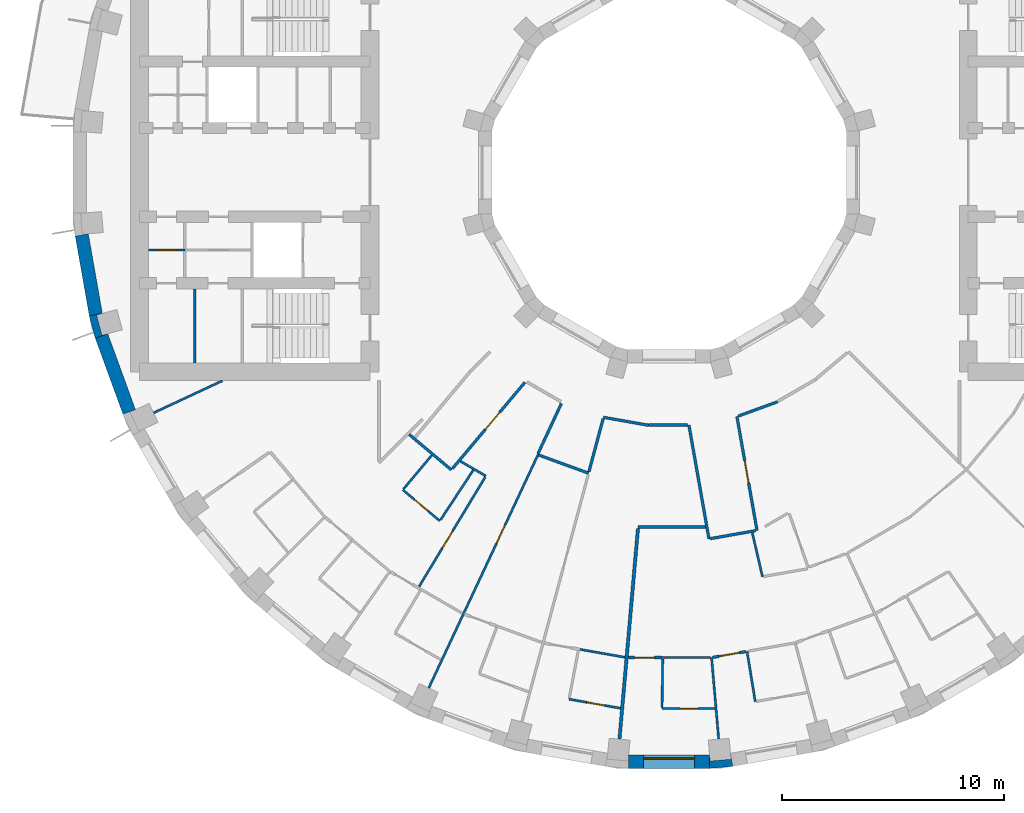
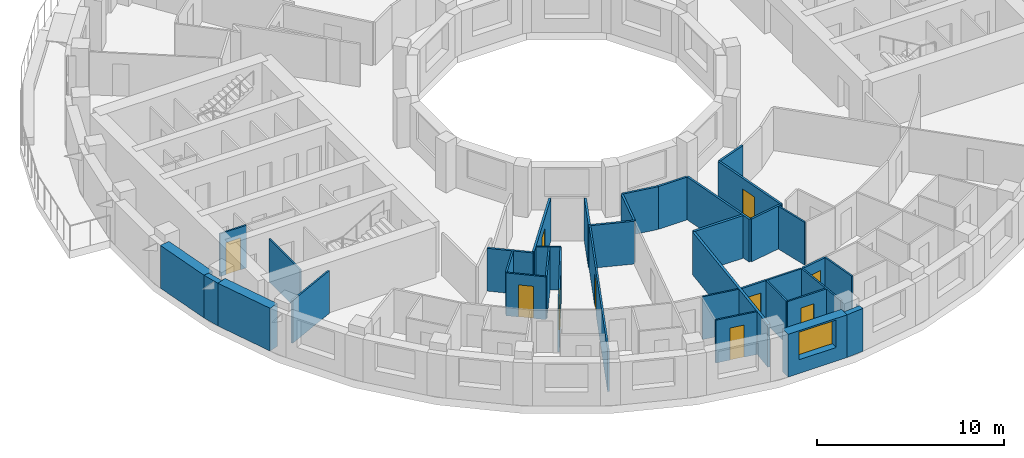
# One storey, part 5 of 15: 37 walls, 10 doors, 1 window, 11 openings.
"""IFC4 building model written with IfcOpenShell, lengths in metres."""

from ifc_helpers import new_model, si_unit, direction, frame, frame_2d, origin, place, context, subcontext, project, spatial, polyline, rectangle, outline, extrude, material, layer, layer_set, type_object, element, fill, save


model = new_model("IFC4")

# Units and contexts
model_context = context("Model", 3, precision=1e-05, world=origin(), true_north=direction((0.0, 1.0)))
body_context = subcontext(model_context, "Body", "Model", "MODEL_VIEW")
ifc_project = project(units=[si_unit("LENGTHUNIT", "METRE"), si_unit("AREAUNIT", "SQUARE_METRE"), si_unit("VOLUMEUNIT", "CUBIC_METRE"), si_unit("PLANEANGLEUNIT", "RADIAN"), si_unit("MASSUNIT", "GRAM", prefix="KILO")], contexts=[model_context])

# Site, building, storey
site_placement = place(None, origin())
site = spatial("IfcSite", under=ifc_project, at=site_placement, CompositionType="ELEMENT")
building_placement = place(site_placement, origin())
building = spatial("IfcBuilding", under=site, at=building_placement, Name="Saqina Gate Tower", CompositionType="ELEMENT")
storey_placement = place(building_placement, frame((0.0, 0.0, 108.39990234375)))
storey = spatial("IfcBuildingStorey", under=building, at=storey_placement, Name="L30", CompositionType="ELEMENT", Elevation=108.39990234375)

# Walls
ifc_material_1 = material(Name="Brick masonry (buff)", Category="masonry")
wall_type_1 = type_object("IfcWallType", Name="BRICK PIER COPING BUFF", PredefinedType="SOLIDWALL", material=ifc_material_1)
wall_1_placement = place(storey_placement, origin())
element("IfcWall", 1, at=wall_1_placement, inside=storey, type_object=wall_type_1, Name="Pier cap L30 column 20", PredefinedType="SOLIDWALL", context=body_context, shape_type="SweptSolid", body=[
    extrude(outline(polyline([(-26.171875, -6.466796875), (-25.89892578125, -7.485595703125), (-25.335205078125, -7.2802734375), (-25.5947265625, -7.349853515625), (-25.8408203125, -6.43212890625), (-25.5810546875, -6.36279296875), (-26.171875, -6.466796875)])), origin(), (0.0, 0.0, 1.0), 2.800048828125),
])
wall_2_placement = place(storey_placement, origin())
element("IfcWall", 2, at=wall_2_placement, inside=storey, type_object=wall_type_1, Name="Pier cap L30 column 28", PredefinedType="SOLIDWALL", context=body_context, shape_type="SweptSolid", body=[
    extrude(outline(polyline([(2.87451171875, -26.805419921875), (2.770263671875, -26.214599609375), (2.793701171875, -26.482421875), (1.847412109375, -26.565185546875), (1.823974609375, -26.29736328125), (1.823974609375, -26.897216796875), (2.87451171875, -26.805419921875)])), origin(), (0.0, 0.0, 1.0), 2.800048828125),
])

# Wall, opening, door
ifc_material_2 = material(Name="Gypsum board on steel studs", Category="steel")
ifc_layer_1 = layer(ifc_material_2, 0.10009765625)
ifc_layer_set_1 = layer_set([ifc_layer_1], Name="CORE PARTITION")
wall_type_2 = type_object("IfcWallType", Name="CORE PARTITION", PredefinedType="PARTITIONING", material=ifc_layer_set_1)
wall_3_placement = place(storey_placement, frame((-21.8583984375, -3.5, 0.0), z_axis=(0.0, 0.0, 1.0), x_axis=(-1.0, 0.0, 0.0)))
wall_3 = element("IfcWall", 3, at=wall_3_placement, inside=storey, type_object=wall_type_2, Name="L30-CP-W12", PredefinedType="PARTITIONING", context=body_context, shape_type="SweptSolid", body=[
    extrude(rectangle(XDim=1.6416015625, YDim=0.10009765625, at=frame_2d((0.82080078125, 0.0))), origin(), (0.0, 0.0, 1.0), 2.800048828125),
])
opening_1_placement = place(wall_3_placement, frame((0.370849609375, 0.0, 0.0)))
opening_1 = element("IfcOpeningElement", 4, at=opening_1_placement, cuts=wall_3, Name="Opening G08-D122", PredefinedType="OPENING", context=body_context, shape_type="SweptSolid", body=[
    extrude(rectangle(XDim=0.89990234375, YDim=2.10009765625, at=frame_2d((0.449951171875, 1.050048828125))), frame((0.0, 0.06201171875, 0.0), z_axis=(0.0, -1.0, 0.0), x_axis=(1.0, 0.0, 0.0)), (0.0, 0.0, 1.0), 0.1240234375),
])
ifc_material_3 = material(Name="Steel-framed fire door leaf, EI 60", Category="steel")
door_type_1 = type_object("IfcDoorType", Name="SERVICE ROOM DOOR 900", OperationType="SINGLE_SWING_LEFT", PredefinedType="DOOR", material=ifc_material_3)
door_1_placement = place(opening_1_placement, origin())
door_1 = element("IfcDoor", 5, at=door_1_placement, inside=storey, type_object=door_type_1, Name="L30-CD-W33", OperationType="SINGLE_SWING_RIGHT", OverallHeight=2.10009765625, OverallWidth=0.89990234375, PredefinedType="DOOR", context=body_context, shape_type="SweptSolid", body=[
    extrude(rectangle(XDim=0.89990234375, YDim=2.10009765625, at=frame_2d((0.449951171875, 1.050048828125))), frame((0.0, 0.02490234375, 0.0), z_axis=(0.0, -1.0, 0.0), x_axis=(1.0, 0.0, 0.0)), (0.0, 0.0, 1.0), 0.050048828125),
])
fill(opening_1, door_1)

# Wall
wall_4_placement = place(storey_placement, frame((-21.409912109375, -8.60009765625, 0.0), z_axis=(0.0, 0.0, 1.0), x_axis=(0.0, 1.0, 0.0)))
element("IfcWall", 6, at=wall_4_placement, inside=storey, type_object=wall_type_2, Name="L30-CP-W16", PredefinedType="PARTITIONING", context=body_context, shape_type="SweptSolid", body=[
    extrude(rectangle(XDim=3.35009765625, YDim=0.10009765625, at=frame_2d((1.675048828125, 0.0))), origin(), (0.0, 0.0, 1.0), 2.800048828125),
])

# Wall, opening, window
ifc_material_4 = material(Name="Brick masonry (buff)", Category="masonry")
ifc_layer_2 = layer(ifc_material_4, 0.60009765625)
ifc_layer_set_2 = layer_set([ifc_layer_2], Name="FW-BRICK-BUFF")
wall_type_3 = type_object("IfcWallType", Name="FW-BRICK-BUFF", PredefinedType="SOLIDWALL", material=ifc_layer_set_2)
wall_5_placement = place(storey_placement, frame((-1.823974609375, -26.59716796875, 0.0), z_axis=(0.0, 0.0, 1.0), x_axis=(1.0, 0.0, 0.0)))
wall_5 = element("IfcWall", 7, at=wall_5_placement, inside=storey, type_object=wall_type_3, Name="Facade wall L30 facet 27", PredefinedType="SOLIDWALL", context=body_context, shape_type="SweptSolid", body=[
    extrude(rectangle(XDim=3.64794921875, YDim=0.60009765625, at=frame_2d((1.823974609375, 0.0))), origin(), (0.0, 0.0, 1.0), 2.800048828125),
])
opening_2_placement = place(wall_5_placement, frame((0.673828125, 0.0, 0.89990234375)))
opening_2 = element("IfcOpeningElement", 8, at=opening_2_placement, cuts=wall_5, Name="Opening G08-W16", PredefinedType="OPENING", context=body_context, shape_type="SweptSolid", body=[
    extrude(rectangle(XDim=2.300048828125, YDim=1.800048828125, at=frame_2d((1.14990234375, 0.89990234375))), frame((0.0, 0.31201171875, 0.0), z_axis=(0.0, -1.0, 0.0), x_axis=(1.0, 0.0, 0.0)), (0.0, 0.0, 1.0), 0.6240234375),
])
ifc_material_5 = material(Name="Aluminium glazing", Category="aluminium")
window_type = type_object("IfcWindowType", Name="WN-B", PartitioningType="SINGLE_PANEL", PredefinedType="WINDOW", material=ifc_material_5)
window_placement = place(opening_2_placement, origin())
window = element("IfcWindow", 9, at=window_placement, inside=storey, type_object=window_type, Name="Window L30 facet 27", OverallHeight=1.800048828125, OverallWidth=2.300048828125, PartitioningType="SINGLE_PANEL", PredefinedType="WINDOW", context=body_context, shape_type="SweptSolid", body=[
    extrude(rectangle(XDim=2.300048828125, YDim=1.800048828125, at=frame_2d((1.14990234375, 0.89990234375))), frame((0.0, 0.179931640625, 0.0), z_axis=(0.0, -1.0, 0.0), x_axis=(1.0, 0.0, 0.0)), (0.0, 0.0, 1.0), 0.06005859375),
])
fill(opening_2, window)

# Walls
ifc_material_6 = material(Name="Glazed ceramic tile", Category="ceramic")
ifc_layer_3 = layer(ifc_material_6, 0.60009765625)
ifc_layer_set_3 = layer_set([ifc_layer_3], Name="FW-TILE")
wall_type_4 = type_object("IfcWallType", Name="FW-TILE", PredefinedType="SOLIDWALL", material=ifc_layer_set_3)
wall_6_placement = place(storey_placement, frame((-26.510009765625, -2.822265625, 0.0), z_axis=(0.0, 0.0, 1.0), x_axis=(0.173670796382, -0.984803764455, 0.0)))
element("IfcWall", 10, at=wall_6_placement, inside=storey, type_object=wall_type_4, Name="Facade wall L30 facet 19", PredefinedType="SOLIDWALL", context=body_context, shape_type="SweptSolid", body=[
    extrude(rectangle(XDim=3.64794921875, YDim=0.60009765625, at=frame_2d((1.823974609375, 0.0))), origin(), (0.0, 0.0, 1.0), 2.800048828125),
])
ifc_material_7 = material(Name="Glazed ceramic tile (dark blue)", Category="ceramic")
ifc_layer_4 = layer(ifc_material_7, 0.60009765625)
ifc_layer_set_4 = layer_set([ifc_layer_4], Name="FW-TILE-CB")
wall_type_5 = type_object("IfcWallType", Name="FW-TILE-CB", PredefinedType="SOLIDWALL", material=ifc_layer_set_4)
wall_7_placement = place(storey_placement, frame((-25.616943359375, -7.3828125, 0.0), z_axis=(0.0, 0.0, 1.0), x_axis=(0.341990236633, -0.939703505393, 0.0)))
element("IfcWall", 11, at=wall_7_placement, inside=storey, type_object=wall_type_5, Name="Facade wall L30 facet 20", PredefinedType="SOLIDWALL", context=body_context, shape_type="SweptSolid", body=[
    extrude(rectangle(XDim=3.64794921875, YDim=0.60009765625, at=frame_2d((1.823974609375, 0.0))), origin(), (0.0, 0.0, 1.0), 2.800048828125),
])
ifc_material_8 = material(Name="Gypsum board on steel studs, 100 mm", Category="steel")
ifc_layer_5 = layer(ifc_material_8, 0.10009765625)
ifc_layer_set_5 = layer_set([ifc_layer_5], Name="PARTITION 100")
wall_type_6 = type_object("IfcWallType", Name="PARTITION 100", PredefinedType="PARTITIONING", material=ifc_layer_set_5)
wall_8_placement = place(storey_placement, frame((1.916015625, -21.89697265625, 0.0), z_axis=(0.0, 0.0, 1.0), x_axis=(0.087069954148, -0.996202199899, 0.0)))
element("IfcWall", 12, at=wall_8_placement, inside=storey, type_object=wall_type_6, Name="PARTITION PW3-02", PredefinedType="PARTITIONING", context=body_context, shape_type="SweptSolid", body=[
    extrude(rectangle(XDim=3.684326171875, YDim=0.10009765625, at=frame_2d((1.84228515625, 0.0))), origin(), (0.0, 0.0, 1.0), 2.800048828125),
])
wall_9_placement = place(storey_placement, frame((3.51806640625, -21.614990234375, 0.0), z_axis=(0.0, 0.0, 1.0), x_axis=(0.160403826344, -0.987051474085, 0.0)))
element("IfcWall", 13, at=wall_9_placement, inside=storey, type_object=wall_type_6, Name="PARTITION PW3-04", PredefinedType="PARTITIONING", context=body_context, shape_type="SweptSolid", body=[
    extrude(rectangle(XDim=2.2998046875, YDim=0.10009765625, at=frame_2d((1.14990234375, 0.0))), origin(), (0.0, 0.0, 1.0), 2.800048828125),
])
wall_10_placement = place(storey_placement, frame((3.752685546875, -16.258056640625, 0.0), z_axis=(0.0, 0.0, 1.0), x_axis=(0.22577693712, -0.974179025983, 0.0)))
element("IfcWall", 14, at=wall_10_placement, inside=storey, type_object=wall_type_6, Name="PARTITION PW3-06", PredefinedType="PARTITIONING", context=body_context, shape_type="SweptSolid", body=[
    extrude(rectangle(XDim=2.04052734375, YDim=0.10009765625, at=frame_2d((1.020263671875, 0.0))), origin(), (0.0, 0.0, 1.0), 2.800048828125),
])

# Wall, opening, door
wall_11_placement = place(storey_placement, frame((-12.01806640625, -14.32666015625, 0.0), z_axis=(0.0, 0.0, 1.0), x_axis=(0.76605991383, -0.642769171961, 0.0)))
wall_11 = element("IfcWall", 15, at=wall_11_placement, inside=storey, type_object=wall_type_6, Name="PARTITION PW3-25", PredefinedType="PARTITIONING", context=body_context, shape_type="SweptSolid", body=[
    extrude(rectangle(XDim=2.18017578125, YDim=0.10009765625, at=frame_2d((1.090087890625, 0.0))), origin(), (0.0, 0.0, 1.0), 2.800048828125),
])
opening_3_placement = place(wall_11_placement, frame((0.689453125, 0.0, 0.0)))
opening_3 = element("IfcOpeningElement", 16, at=opening_3_placement, cuts=wall_11, Name="Opening G08-D26", PredefinedType="OPENING", context=body_context, shape_type="SweptSolid", body=[
    extrude(rectangle(XDim=0.800048828125, YDim=2.10009765625, at=frame_2d((0.39990234375, 1.050048828125))), frame((0.0, 0.06201171875, 0.0), z_axis=(0.0, -1.0, 0.0), x_axis=(1.0, 0.0, 0.0)), (0.0, 0.0, 1.0), 0.1240234375),
])
ifc_material_9 = material(Name="Timber door leaf, 800 mm", Category="wood")
door_type_2 = type_object("IfcDoorType", Name="DOOR 800 TIMBER", OperationType="SINGLE_SWING_LEFT", PredefinedType="DOOR", material=ifc_material_9)
door_2_placement = place(opening_3_placement, frame((0.800048828125, 0.0, 0.0), z_axis=(0.0, 0.0, 1.0), x_axis=(-1.0, 0.0, 0.0)))
door_2 = element("IfcDoor", 17, at=door_2_placement, inside=storey, type_object=door_type_2, Name="DOOR G08-D26", OperationType="SINGLE_SWING_RIGHT", OverallHeight=2.10009765625, OverallWidth=0.800048828125, PredefinedType="DOOR", context=body_context, shape_type="SweptSolid", body=[
    extrude(rectangle(XDim=0.800048828125, YDim=2.10009765625, at=frame_2d((0.39990234375, 1.050048828125))), frame((0.0, 0.02490234375, 0.0), z_axis=(0.0, -1.0, 0.0), x_axis=(1.0, 0.0, 0.0)), (0.0, 0.0, 1.0), 0.050048828125),
])
fill(opening_3, door_2)

# Wall
wall_12_placement = place(storey_placement, frame((-9.421875, -13.03515625, 0.0), z_axis=(0.0, 0.0, 1.0), x_axis=(0.866041828806, -0.499971549949, 0.0)))
element("IfcWall", 18, at=wall_12_placement, inside=storey, type_object=wall_type_6, Name="PARTITION PW3-30", PredefinedType="PARTITIONING", context=body_context, shape_type="SweptSolid", body=[
    extrude(rectangle(XDim=1.3291015625, YDim=0.10009765625, at=frame_2d((0.66455078125, 0.0))), origin(), (0.0, 0.0, 1.0), 2.800048828125),
])

# Wall, opening, door
wall_13_placement = place(storey_placement, frame((-4.51611328125, -23.77392578125, 0.0), z_axis=(0.0, 0.0, 1.0), x_axis=(0.984810614942, -0.173631946077, 0.0)))
wall_13 = element("IfcWall", 19, at=wall_13_placement, inside=storey, type_object=wall_type_6, Name="PARTITION PW3-37", PredefinedType="PARTITIONING", context=body_context, shape_type="SweptSolid", body=[
    extrude(rectangle(XDim=2.36083984375, YDim=0.10009765625, at=frame_2d((1.180419921875, 0.0))), origin(), (0.0, 0.0, 1.0), 2.800048828125),
])
opening_4_placement = place(wall_13_placement, frame((0.818115234375, 0.0, 0.0)))
opening_4 = element("IfcOpeningElement", 20, at=opening_4_placement, cuts=wall_13, Name="Opening G08-D36", PredefinedType="OPENING", context=body_context, shape_type="SweptSolid", body=[
    extrude(rectangle(XDim=0.800048828125, YDim=2.10009765625, at=frame_2d((0.39990234375, 1.050048828125))), frame((0.0, 0.06201171875, 0.0), z_axis=(0.0, -1.0, 0.0), x_axis=(1.0, 0.0, 0.0)), (0.0, 0.0, 1.0), 0.1240234375),
])
door_3_placement = place(opening_4_placement, frame((0.800048828125, 0.0, 0.0), z_axis=(0.0, 0.0, 1.0), x_axis=(-1.0, 0.0, 0.0)))
door_3 = element("IfcDoor", 21, at=door_3_placement, inside=storey, type_object=door_type_2, Name="DOOR G08-D36", OperationType="SINGLE_SWING_LEFT", OverallHeight=2.10009765625, OverallWidth=0.800048828125, PredefinedType="DOOR", context=body_context, shape_type="SweptSolid", body=[
    extrude(rectangle(XDim=0.800048828125, YDim=2.10009765625, at=frame_2d((0.39990234375, 1.050048828125))), frame((0.0, 0.02490234375, 0.0), z_axis=(0.0, -1.0, 0.0), x_axis=(1.0, 0.0, 0.0)), (0.0, 0.0, 1.0), 0.050048828125),
])
fill(opening_4, door_3)

# Wall
wall_14_placement = place(storey_placement, frame((-4.025390625, -21.52490234375, 0.0), z_axis=(0.0, 0.0, 1.0), x_axis=(0.984791880798, -0.173738169424, 0.0)))
element("IfcWall", 22, at=wall_14_placement, inside=storey, type_object=wall_type_6, Name="PARTITION PW3-38", PredefinedType="PARTITIONING", context=body_context, shape_type="SweptSolid", body=[
    extrude(rectangle(XDim=2.067138671875, YDim=0.10009765625, at=frame_2d((1.03369140625, 0.0))), origin(), (0.0, 0.0, 1.0), 2.800048828125),
])

# Wall, opening, door
wall_15_placement = place(storey_placement, frame((-0.319091796875, -24.197021484375, 0.0), z_axis=(0.0, 0.0, 1.0), x_axis=(1.0, 0.0, 0.0)))
wall_15 = element("IfcWall", 23, at=wall_15_placement, inside=storey, type_object=wall_type_6, Name="PARTITION PW3-42", PredefinedType="PARTITIONING", context=body_context, shape_type="SweptSolid", body=[
    extrude(rectangle(XDim=2.385986328125, YDim=0.10009765625, at=frame_2d((1.19287109375, 0.0))), origin(), (0.0, 0.0, 1.0), 2.800048828125),
])
opening_5_placement = place(wall_15_placement, frame((0.818115234375, 0.0, 0.0)))
opening_5 = element("IfcOpeningElement", 24, at=opening_5_placement, cuts=wall_15, Name="Opening G08-D38", PredefinedType="OPENING", context=body_context, shape_type="SweptSolid", body=[
    extrude(rectangle(XDim=0.800048828125, YDim=2.10009765625, at=frame_2d((0.39990234375, 1.050048828125))), frame((0.0, 0.06201171875, 0.0), z_axis=(0.0, -1.0, 0.0), x_axis=(1.0, 0.0, 0.0)), (0.0, 0.0, 1.0), 0.1240234375),
])
door_4_placement = place(opening_5_placement, frame((0.800048828125, 0.0, 0.0), z_axis=(0.0, 0.0, 1.0), x_axis=(-1.0, 0.0, 0.0)))
door_4 = element("IfcDoor", 25, at=door_4_placement, inside=storey, type_object=door_type_2, Name="DOOR G08-D38", OperationType="SINGLE_SWING_LEFT", OverallHeight=2.10009765625, OverallWidth=0.800048828125, PredefinedType="DOOR", context=body_context, shape_type="SweptSolid", body=[
    extrude(rectangle(XDim=0.800048828125, YDim=2.10009765625, at=frame_2d((0.39990234375, 1.050048828125))), frame((0.0, 0.02490234375, 0.0), z_axis=(0.0, -1.0, 0.0), x_axis=(1.0, 0.0, 0.0)), (0.0, 0.0, 1.0), 0.050048828125),
])
fill(opening_5, door_4)

# Walls
wall_16_placement = place(storey_placement, frame((-0.339111328125, -21.89697265625, 0.0), z_axis=(0.0, 0.0, 1.0), x_axis=(1.0, 0.0, 0.0)))
element("IfcWall", 26, at=wall_16_placement, inside=storey, type_object=wall_type_6, Name="PARTITION PW3-43", PredefinedType="PARTITIONING", context=body_context, shape_type="SweptSolid", body=[
    extrude(rectangle(XDim=2.205078125, YDim=0.10009765625, at=frame_2d((1.1025390625, 0.0))), origin(), (0.0, 0.0, 1.0), 2.800048828125),
])
wall_17_placement = place(storey_placement, frame((-23.260009765625, -10.84716796875, 0.0), z_axis=(0.0, 0.0, 1.0), x_axis=(0.906121146584, 0.423018282954, 0.0)))
element("IfcWall", 27, at=wall_17_placement, inside=storey, type_object=wall_type_6, Name="PARTITION PW3-60", PredefinedType="PARTITIONING", context=body_context, shape_type="SweptSolid", body=[
    extrude(rectangle(XDim=3.42138671875, YDim=0.10009765625, at=frame_2d((1.710693359375, 0.0))), origin(), (0.0, 0.0, 1.0), 2.800048828125),
])
wall_18_placement = place(storey_placement, frame((-11.98779296875, -14.28662109375, 0.0), z_axis=(0.0, 0.0, 1.0), x_axis=(0.642742530466, 0.766082266816, 0.0)))
element("IfcWall", 28, at=wall_18_placement, inside=storey, type_object=wall_type_6, Name="PARTITION PW3-75", PredefinedType="PARTITIONING", context=body_context, shape_type="SweptSolid", body=[
    extrude(rectangle(XDim=1.9873046875, YDim=0.10009765625, at=frame_2d((0.99365234375, 0.0))), origin(), (0.0, 0.0, 1.0), 2.800048828125),
])
wall_19_placement = place(storey_placement, frame((-10.319091796875, -15.684326171875, 0.0), z_axis=(0.0, 0.0, 1.0), x_axis=(0.549631473795, 0.835407231842, 0.0)))
element("IfcWall", 29, at=wall_19_placement, inside=storey, type_object=wall_type_6, Name="PARTITION PW3-79", PredefinedType="PARTITIONING", context=body_context, shape_type="SweptSolid", body=[
    extrude(rectangle(XDim=2.6953125, YDim=0.10009765625, at=frame_2d((1.34765625, 0.0))), origin(), (0.0, 0.0, 1.0), 2.800048828125),
])

# Wall, opening, door
wall_20_placement = place(storey_placement, frame((-11.287109375, -18.694580078125, 0.0), z_axis=(0.0, 0.0, 1.0), x_axis=(0.516964841348, 0.856006631288, 0.0)))
wall_20 = element("IfcWall", 30, at=wall_20_placement, inside=storey, type_object=wall_type_6, Name="PARTITION PW3-80", PredefinedType="PARTITIONING", context=body_context, shape_type="SweptSolid", body=[
    extrude(rectangle(XDim=5.7822265625, YDim=0.10009765625, at=frame_2d((2.89111328125, 0.0))), origin(), (0.0, 0.0, 1.0), 2.800048828125),
])
opening_6_placement = place(wall_20_placement, frame((2.034912109375, 0.0, 0.0)))
opening_6 = element("IfcOpeningElement", 31, at=opening_6_placement, cuts=wall_20, Name="Opening G08-D29", PredefinedType="OPENING", context=body_context, shape_type="SweptSolid", body=[
    extrude(rectangle(XDim=0.89990234375, YDim=2.10009765625, at=frame_2d((0.449951171875, 1.050048828125))), frame((0.0, 0.06201171875, 0.0), z_axis=(0.0, -1.0, 0.0), x_axis=(1.0, 0.0, 0.0)), (0.0, 0.0, 1.0), 0.1240234375),
])
ifc_material_10 = material(Name="Timber door leaf, 900 mm", Category="wood")
door_type_3 = type_object("IfcDoorType", Name="DOOR 900 TIMBER", OperationType="SINGLE_SWING_LEFT", PredefinedType="DOOR", material=ifc_material_10)
door_5_placement = place(opening_6_placement, origin())
door_5 = element("IfcDoor", 32, at=door_5_placement, inside=storey, type_object=door_type_3, Name="DOOR G08-D29", OperationType="SINGLE_SWING_RIGHT", OverallHeight=2.10009765625, OverallWidth=0.89990234375, PredefinedType="DOOR", context=body_context, shape_type="SweptSolid", body=[
    extrude(rectangle(XDim=0.89990234375, YDim=2.10009765625, at=frame_2d((0.449951171875, 1.050048828125))), frame((0.0, 0.02490234375, 0.0), z_axis=(0.0, -1.0, 0.0), x_axis=(1.0, 0.0, 0.0)), (0.0, 0.0, 1.0), 0.050048828125),
])
fill(opening_6, door_5)

wall_21_placement = place(storey_placement, frame((-10.845458984375, -23.260986328125, 0.0), z_axis=(0.0, 0.0, 1.0), x_axis=(0.424206154739, 0.905565645484, 0.0)))
wall_21 = element("IfcWall", 33, at=wall_21_placement, inside=storey, type_object=wall_type_6, Name="PARTITION PW3-83", PredefinedType="PARTITIONING", context=body_context, shape_type="SweptSolid", body=[
    extrude(rectangle(XDim=11.674560546875, YDim=0.10009765625, at=frame_2d((5.83740234375, 0.0))), origin(), (0.0, 0.0, 1.0), 2.800048828125),
])
opening_7_placement = place(wall_21_placement, frame((7.19921875, 0.0, 0.0)))
opening_7 = element("IfcOpeningElement", 34, at=opening_7_placement, cuts=wall_21, Name="Opening G08-D31", PredefinedType="OPENING", context=body_context, shape_type="SweptSolid", body=[
    extrude(rectangle(XDim=0.89990234375, YDim=2.10009765625, at=frame_2d((0.449951171875, 1.050048828125))), frame((0.0, 0.06201171875, 0.0), z_axis=(0.0, -1.0, 0.0), x_axis=(1.0, 0.0, 0.0)), (0.0, 0.0, 1.0), 0.1240234375),
])
door_6_placement = place(opening_7_placement, frame((0.89990234375, 0.0, 0.0), z_axis=(0.0, 0.0, 1.0), x_axis=(-1.0, 0.0, 0.0)))
door_6 = element("IfcDoor", 35, at=door_6_placement, inside=storey, type_object=door_type_3, Name="DOOR G08-D31", OperationType="SINGLE_SWING_LEFT", OverallHeight=2.10009765625, OverallWidth=0.89990234375, PredefinedType="DOOR", context=body_context, shape_type="SweptSolid", body=[
    extrude(rectangle(XDim=0.89990234375, YDim=2.10009765625, at=frame_2d((0.449951171875, 1.050048828125))), frame((0.0, 0.02490234375, 0.0), z_axis=(0.0, -1.0, 0.0), x_axis=(1.0, 0.0, 0.0)), (0.0, 0.0, 1.0), 0.050048828125),
])
fill(opening_7, door_6)

# Walls
wall_22_placement = place(storey_placement, frame((-0.318359375, -24.14697265625, 0.0), z_axis=(0.0, 0.0, 1.0), x_axis=(0.013056922579, 0.999914754753, 0.0)))
element("IfcWall", 36, at=wall_22_placement, inside=storey, type_object=wall_type_6, Name="PARTITION PW3-93", PredefinedType="PARTITIONING", context=body_context, shape_type="SweptSolid", body=[
    extrude(rectangle(XDim=2.187744140625, YDim=0.10009765625, at=frame_2d((1.09375, 0.0))), origin(), (0.0, 0.0, 1.0), 2.800048828125),
])
ifc_material_11 = material(Name="Gypsum board on steel studs, 125 mm, fire rated", Category="steel")
ifc_layer_6 = layer(ifc_material_11, 0.125)
ifc_layer_set_6 = layer_set([ifc_layer_6], Name="PARTITION EI 30 125")
wall_type_7 = type_object("IfcWallType", Name="PARTITION EI 30 125", PredefinedType="PARTITIONING", material=ifc_layer_set_6)
wall_23_placement = place(storey_placement, frame((0.89306640625, -11.39990234375, 0.0), z_axis=(0.0, 0.0, 1.0), x_axis=(0.173617189854, -0.984813216497, 0.0)))
element("IfcWall", 37, at=wall_23_placement, inside=storey, type_object=wall_type_7, Name="PARTITION PW1-01", PredefinedType="PARTITIONING", context=body_context, shape_type="SweptSolid", body=[
    extrude(rectangle(XDim=5.218505859375, YDim=0.125, at=frame_2d((2.609375, 0.0))), origin(), (0.0, 0.0, 1.0), 2.800048828125),
])

# Wall, opening, door
wall_24_placement = place(storey_placement, frame((3.06005859375, -11.0185546875, 0.0), z_axis=(0.0, 0.0, 1.0), x_axis=(0.173641190819, -0.984808984956, 0.0)))
wall_24 = element("IfcWall", 38, at=wall_24_placement, inside=storey, type_object=wall_type_7, Name="PARTITION PW1-02", PredefinedType="PARTITIONING", context=body_context, shape_type="SweptSolid", body=[
    extrude(rectangle(XDim=5.2177734375, YDim=0.125, at=frame_2d((2.60888671875, 0.0))), origin(), (0.0, 0.0, 1.0), 2.800048828125),
])
opening_8_placement = place(wall_24_placement, frame((2.02880859375, 0.0, 0.0)))
opening_8 = element("IfcOpeningElement", 39, at=opening_8_placement, cuts=wall_24, Name="Opening G08-D41", PredefinedType="OPENING", context=body_context, shape_type="SweptSolid", body=[
    extrude(rectangle(XDim=1.0, YDim=2.10009765625, at=frame_2d((0.5, 1.050048828125))), frame((0.0, 0.074462890625, 0.0), z_axis=(0.0, -1.0, 0.0), x_axis=(1.0, 0.0, 0.0)), (0.0, 0.0, 1.0), 0.14892578125),
])
ifc_material_12 = material(Name="Fire door leaf EI 30, 1000 mm")
door_type_4 = type_object("IfcDoorType", Name="DOOR 1000 EI 30", OperationType="SINGLE_SWING_LEFT", PredefinedType="DOOR", material=ifc_material_12)
door_7_placement = place(opening_8_placement, origin())
door_7 = element("IfcDoor", 40, at=door_7_placement, inside=storey, type_object=door_type_4, Name="DOOR G08-D41", OperationType="SINGLE_SWING_LEFT", OverallHeight=2.10009765625, OverallWidth=1.0, PredefinedType="DOOR", context=body_context, shape_type="SweptSolid", body=[
    extrude(rectangle(XDim=1.0, YDim=2.10009765625, at=frame_2d((0.5, 1.050048828125))), frame((0.0, 0.02490234375, 0.0), z_axis=(0.0, -1.0, 0.0), x_axis=(1.0, 0.0, 0.0)), (0.0, 0.0, 1.0), 0.050048828125),
])
fill(opening_8, door_7)

# Walls
wall_25_placement = place(storey_placement, frame((-11.734619140625, -11.822998046875, 0.0), z_axis=(0.0, 0.0, 1.0), x_axis=(0.766013925241, -0.642823977724, 0.0)))
element("IfcWall", 41, at=wall_25_placement, inside=storey, type_object=wall_type_7, Name="PARTITION PW1-13", PredefinedType="PARTITIONING", context=body_context, shape_type="SweptSolid", body=[
    extrude(rectangle(XDim=2.4892578125, YDim=0.125, at=frame_2d((1.24462890625, 0.0))), origin(), (0.0, 0.0, 1.0), 2.800048828125),
])
wall_26_placement = place(storey_placement, frame((-5.879150390625, -12.75634765625, 0.0), z_axis=(0.0, 0.0, 1.0), x_axis=(0.939637973706, -0.342170247639, 0.0)))
element("IfcWall", 42, at=wall_26_placement, inside=storey, type_object=wall_type_7, Name="PARTITION PW1-19", PredefinedType="PARTITIONING", context=body_context, shape_type="SweptSolid", body=[
    extrude(rectangle(XDim=2.385986328125, YDim=0.125, at=frame_2d((1.19287109375, 0.0))), origin(), (0.0, 0.0, 1.0), 2.800048828125),
])
wall_27_placement = place(storey_placement, frame((-2.9609375, -11.052001953125, 0.0), z_axis=(0.0, 0.0, 1.0), x_axis=(0.984777586027, -0.173819176329, 0.0)))
element("IfcWall", 43, at=wall_27_placement, inside=storey, type_object=wall_type_7, Name="PARTITION PW1-24", PredefinedType="PARTITIONING", context=body_context, shape_type="SweptSolid", body=[
    extrude(rectangle(XDim=2.0576171875, YDim=0.125, at=frame_2d((1.02880859375, 0.0))), origin(), (0.0, 0.0, 1.0), 2.800048828125),
])

# Wall, opening, door
wall_28_placement = place(storey_placement, frame((-1.841064453125, -21.89697265625, 0.0), z_axis=(0.0, 0.0, 1.0), x_axis=(1.0, 0.0, 0.0)))
wall_28 = element("IfcWall", 44, at=wall_28_placement, inside=storey, type_object=wall_type_7, Name="PARTITION PW1-26", PredefinedType="PARTITIONING", context=body_context, shape_type="SweptSolid", body=[
    extrude(rectangle(XDim=1.501953125, YDim=0.125, at=frame_2d((0.7509765625, 0.0))), origin(), (0.0, 0.0, 1.0), 2.800048828125),
])
opening_9_placement = place(wall_28_placement, frame((0.28857421875, 0.0, 0.0)))
opening_9 = element("IfcOpeningElement", 45, at=opening_9_placement, cuts=wall_28, Name="Opening G08-D37", PredefinedType="OPENING", context=body_context, shape_type="SweptSolid", body=[
    extrude(rectangle(XDim=0.89990234375, YDim=2.10009765625, at=frame_2d((0.449951171875, 1.050048828125))), frame((0.0, 0.074462890625, 0.0), z_axis=(0.0, -1.0, 0.0), x_axis=(1.0, 0.0, 0.0)), (0.0, 0.0, 1.0), 0.14892578125),
])
ifc_material_13 = material(Name="Fire door leaf EI 30, 900 mm")
door_type_5 = type_object("IfcDoorType", Name="DOOR 900 EI 30", OperationType="SINGLE_SWING_LEFT", PredefinedType="DOOR", material=ifc_material_13)
door_8_placement = place(opening_9_placement, origin())
door_8 = element("IfcDoor", 46, at=door_8_placement, inside=storey, type_object=door_type_5, Name="DOOR G08-D37", OperationType="SINGLE_SWING_LEFT", OverallHeight=2.10009765625, OverallWidth=0.89990234375, PredefinedType="DOOR", context=body_context, shape_type="SweptSolid", body=[
    extrude(rectangle(XDim=0.89990234375, YDim=2.10009765625, at=frame_2d((0.449951171875, 1.050048828125))), frame((0.0, 0.02490234375, 0.0), z_axis=(0.0, -1.0, 0.0), x_axis=(1.0, 0.0, 0.0)), (0.0, 0.0, 1.0), 0.050048828125),
])
fill(opening_9, door_8)

# Wall
wall_29_placement = place(storey_placement, frame((-0.9345703125, -11.39990234375, 0.0), z_axis=(0.0, 0.0, 1.0), x_axis=(1.0, 0.0, 0.0)))
element("IfcWall", 47, at=wall_29_placement, inside=storey, type_object=wall_type_7, Name="PARTITION PW1-27", PredefinedType="PARTITIONING", context=body_context, shape_type="SweptSolid", body=[
    extrude(rectangle(XDim=1.76513671875, YDim=0.125, at=frame_2d((0.882568359375, 0.0))), origin(), (0.0, 0.0, 1.0), 2.800048828125),
])

# Wall, opening, door
wall_30_placement = place(storey_placement, frame((1.96533203125, -21.888427734375, 0.0), z_axis=(0.0, 0.0, 1.0), x_axis=(0.984857531579, 0.173365632386, 0.0)))
wall_30 = element("IfcWall", 48, at=wall_30_placement, inside=storey, type_object=wall_type_7, Name="PARTITION PW1-31", PredefinedType="PARTITIONING", context=body_context, shape_type="SweptSolid", body=[
    extrude(rectangle(XDim=1.526611328125, YDim=0.125, at=frame_2d((0.76318359375, 0.0))), origin(), (0.0, 0.0, 1.0), 2.800048828125),
])
opening_10_placement = place(wall_30_placement, frame((0.313720703125, 0.0, 0.0)))
opening_10 = element("IfcOpeningElement", 49, at=opening_10_placement, cuts=wall_30, Name="Opening G08-D39", PredefinedType="OPENING", context=body_context, shape_type="SweptSolid", body=[
    extrude(rectangle(XDim=0.89990234375, YDim=2.10009765625, at=frame_2d((0.449951171875, 1.050048828125))), frame((0.0, 0.074462890625, 0.0), z_axis=(0.0, -1.0, 0.0), x_axis=(1.0, 0.0, 0.0)), (0.0, 0.0, 1.0), 0.14892578125),
])
door_9_placement = place(opening_10_placement, origin())
door_9 = element("IfcDoor", 50, at=door_9_placement, inside=storey, type_object=door_type_5, Name="DOOR G08-D39", OperationType="SINGLE_SWING_LEFT", OverallHeight=2.10009765625, OverallWidth=0.89990234375, PredefinedType="DOOR", context=body_context, shape_type="SweptSolid", body=[
    extrude(rectangle(XDim=0.89990234375, YDim=2.10009765625, at=frame_2d((0.449951171875, 1.050048828125))), frame((0.0, 0.02490234375, 0.0), z_axis=(0.0, -1.0, 0.0), x_axis=(1.0, 0.0, 0.0)), (0.0, 0.0, 1.0), 0.050048828125),
])
fill(opening_10, door_9)

# Walls
wall_31_placement = place(storey_placement, frame((1.8623046875, -16.52783203125, 0.0), z_axis=(0.0, 0.0, 1.0), x_axis=(0.984827380623, 0.173536827142, 0.0)))
element("IfcWall", 51, at=wall_31_placement, inside=storey, type_object=wall_type_7, Name="PARTITION PW1-32", PredefinedType="PARTITIONING", context=body_context, shape_type="SweptSolid", body=[
    extrude(rectangle(XDim=2.07373046875, YDim=0.125, at=frame_2d((1.036865234375, 0.0))), origin(), (0.0, 0.0, 1.0), 2.800048828125),
])
wall_32_placement = place(storey_placement, frame((3.118896484375, -10.9970703125, 0.0), z_axis=(0.0, 0.0, 1.0), x_axis=(0.939510386217, 0.342520414269, 0.0)))
element("IfcWall", 52, at=wall_32_placement, inside=storey, type_object=wall_type_7, Name="PARTITION PW1-35", PredefinedType="PARTITIONING", context=body_context, shape_type="SweptSolid", body=[
    extrude(rectangle(XDim=1.89111328125, YDim=0.125, at=frame_2d((0.945556640625, 0.0))), origin(), (0.0, 0.0, 1.0), 2.800048828125),
])

# Wall, opening, door
wall_33_placement = place(storey_placement, frame((-9.787841796875, -13.375244140625, 0.0), z_axis=(0.0, 0.0, 1.0), x_axis=(0.643234807085, 0.765668977401, 0.0)))
wall_33 = element("IfcWall", 53, at=wall_33_placement, inside=storey, type_object=wall_type_7, Name="PARTITION PW1-48", PredefinedType="PARTITIONING", context=body_context, shape_type="SweptSolid", body=[
    extrude(rectangle(XDim=5.0927734375, YDim=0.125, at=frame_2d((2.54638671875, 0.0))), origin(), (0.0, 0.0, 1.0), 2.800048828125),
])
opening_11_placement = place(wall_33_placement, frame((2.319580078125, 0.0, 0.0)))
opening_11 = element("IfcOpeningElement", 54, at=opening_11_placement, cuts=wall_33, Name="Opening G08-D27", PredefinedType="OPENING", context=body_context, shape_type="SweptSolid", body=[
    extrude(rectangle(XDim=1.0, YDim=2.10009765625, at=frame_2d((0.5, 1.050048828125))), frame((0.0, 0.074462890625, 0.0), z_axis=(0.0, -1.0, 0.0), x_axis=(1.0, 0.0, 0.0)), (0.0, 0.0, 1.0), 0.14892578125),
])
door_10_placement = place(opening_11_placement, frame((1.0, 0.0, 0.0), z_axis=(0.0, 0.0, 1.0), x_axis=(-1.0, 0.0, 0.0)))
door_10 = element("IfcDoor", 55, at=door_10_placement, inside=storey, type_object=door_type_4, Name="DOOR G08-D27", OperationType="SINGLE_SWING_LEFT", OverallHeight=2.10009765625, OverallWidth=1.0, PredefinedType="DOOR", context=body_context, shape_type="SweptSolid", body=[
    extrude(rectangle(XDim=1.0, YDim=2.10009765625, at=frame_2d((0.5, 1.050048828125))), frame((0.0, 0.02490234375, 0.0), z_axis=(0.0, -1.0, 0.0), x_axis=(1.0, 0.0, 0.0)), (0.0, 0.0, 1.0), 0.050048828125),
])
fill(opening_11, door_10)

# Walls
wall_34_placement = place(storey_placement, frame((-5.91259765625, -12.679931640625, 0.0), z_axis=(0.0, 0.0, 1.0), x_axis=(0.422627539676, 0.906303460606, 0.0)))
element("IfcWall", 56, at=wall_34_placement, inside=storey, type_object=wall_type_7, Name="PARTITION PW1-52", PredefinedType="PARTITIONING", context=body_context, shape_type="SweptSolid", body=[
    extrude(rectangle(XDim=2.487548828125, YDim=0.125, at=frame_2d((1.24365234375, 0.0))), origin(), (0.0, 0.0, 1.0), 2.800048828125),
])
wall_35_placement = place(storey_placement, frame((-3.620361328125, -13.51220703125, 0.0), z_axis=(0.0, 0.0, 1.0), x_axis=(0.258641119931, 0.965973483632, 0.0)))
element("IfcWall", 57, at=wall_35_placement, inside=storey, type_object=wall_type_7, Name="PARTITION PW1-54", PredefinedType="PARTITIONING", context=body_context, shape_type="SweptSolid", body=[
    extrude(rectangle(XDim=2.484375, YDim=0.125, at=frame_2d((1.2421875, 0.0))), origin(), (0.0, 0.0, 1.0), 2.800048828125),
])
ifc_material_14 = material(Name="Gypsum board on steel studs, 150 mm, fire rated", Category="steel")
ifc_layer_7 = layer(ifc_material_14, 0.14990234375)
ifc_layer_set_7 = layer_set([ifc_layer_7], Name="PARTITION EI 60 150")
wall_type_8 = type_object("IfcWallType", Name="PARTITION EI 60 150", PredefinedType="PARTITIONING", material=ifc_layer_set_7)
wall_36_placement = place(storey_placement, frame((-1.39990234375, -16.0, 0.0), z_axis=(0.0, 0.0, 1.0), x_axis=(1.0, 0.0, 0.0)))
element("IfcWall", 58, at=wall_36_placement, inside=storey, type_object=wall_type_8, Name="PARTITION PW2-02", PredefinedType="PARTITIONING", context=body_context, shape_type="SweptSolid", body=[
    extrude(rectangle(XDim=3.04150390625, YDim=0.14990234375, at=frame_2d((1.520751953125, 0.0))), origin(), (0.0, 0.0, 1.0), 2.800048828125),
])
wall_37_placement = place(storey_placement, frame((-2.240234375, -25.567138671875, 0.0), z_axis=(0.0, 0.0, 1.0), x_axis=(0.087555048891, 0.996159682688, 0.0)))
element("IfcWall", 59, at=wall_37_placement, inside=storey, type_object=wall_type_8, Name="PARTITION PW2-03", PredefinedType="PARTITIONING", context=body_context, shape_type="SweptSolid", body=[
    extrude(rectangle(XDim=9.528076171875, YDim=0.14990234375, at=frame_2d((4.76416015625, 0.0))), origin(), (0.0, 0.0, 1.0), 2.800048828125),
])

save(model, "model.ifc")
